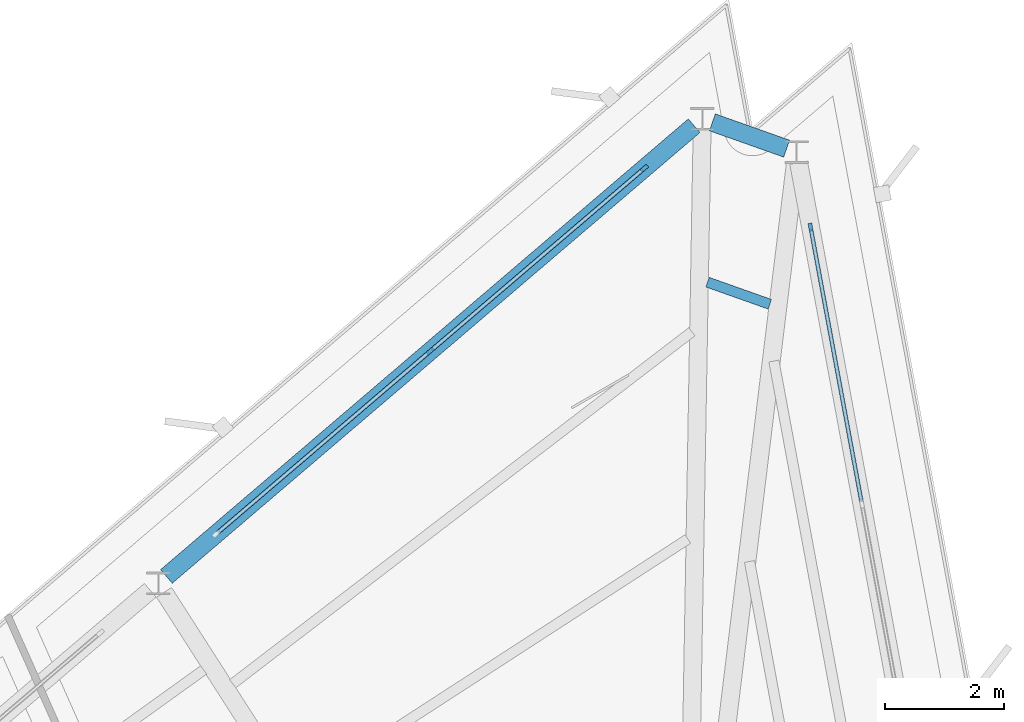
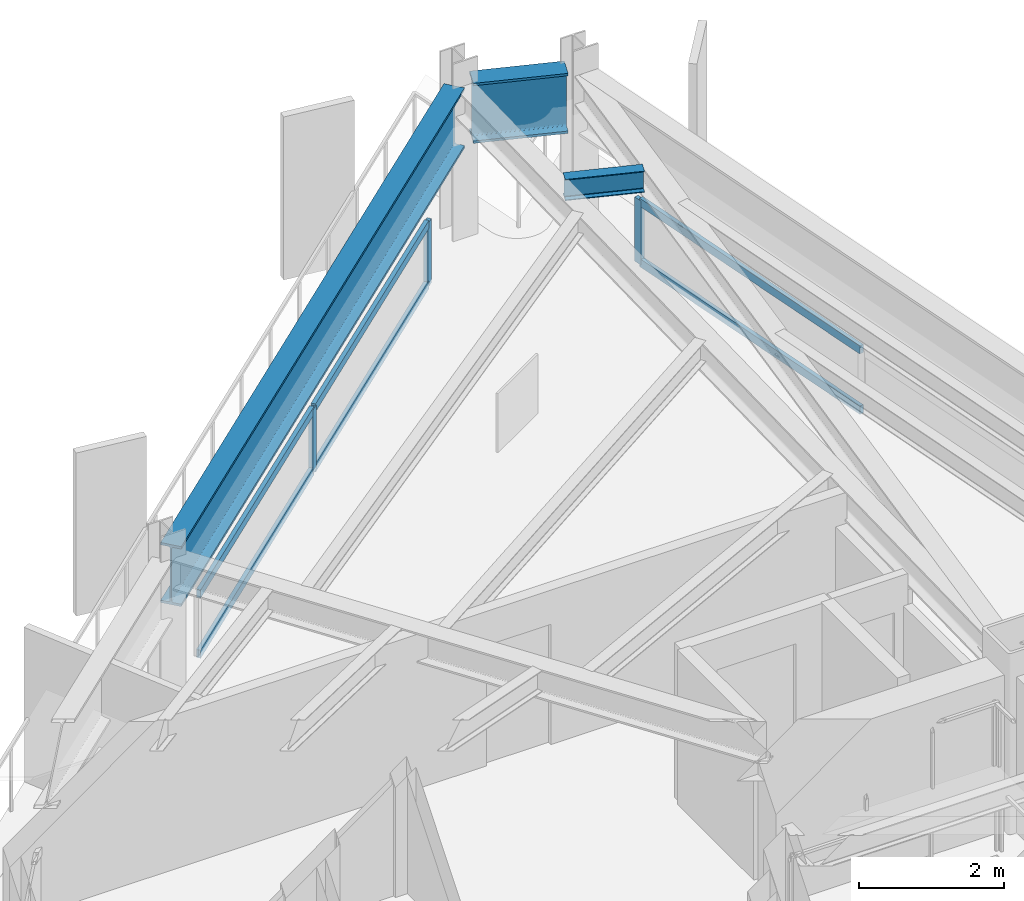
# One storey, part 7 of 14: 9 members, 3 beams, 2 elements without a shape of their own.
"""IFC4 building model written with IfcOpenShell, lengths in metres."""

from ifc_helpers import new_model, si_unit, direction, frame, origin, origin_2d, place, context, subcontext, project, spatial, rectangle, i_section, extrude, material, layer, layer_set, material_profile, profile_set, type_object, element, aggregate, save


model = new_model("IFC4")

# Units and contexts
model_context = context("Model", 3, precision=1e-05, world=origin(), true_north=direction((0.0, 1.0)))
body_context = subcontext(model_context, "Body", "Model", "MODEL_VIEW")
ifc_project = project(units=[si_unit("LENGTHUNIT", "METRE"), si_unit("AREAUNIT", "SQUARE_METRE"), si_unit("VOLUMEUNIT", "CUBIC_METRE"), si_unit("PLANEANGLEUNIT", "RADIAN"), si_unit("MASSUNIT", "GRAM", prefix="KILO")], contexts=[model_context])

# Site, building, storey
site_placement = place(None, origin())
site = spatial("IfcSite", under=ifc_project, at=site_placement, CompositionType="ELEMENT")
building_placement = place(site_placement, origin())
building = spatial("IfcBuilding", under=site, at=building_placement, Name="Rocaltana Carrier Exchange", CompositionType="ELEMENT")
storey_placement = place(building_placement, frame((0.0, 0.0, 190.56005859375)))
storey = spatial("IfcBuildingStorey", under=building, at=storey_placement, Name="L60", CompositionType="ELEMENT", Elevation=190.56005859375)

# Curtain wall, member
ifc_material_1 = material(Name="Aluminium 6063-T6", Category="aluminium")
ifc_layer = layer(ifc_material_1, 0.135009765625)
ifc_layer_set = layer_set([ifc_layer], Name="Aluminium 6063-T6")
curtain_wall_type = type_object("IfcCurtainWallType", Name="Upper-Mid Acoustic Curtain Wall CW-04", PredefinedType="NOTDEFINED", material=ifc_layer_set)
curtain_wall_1_placement = place(storey_placement, origin())
curtain_wall_1 = element("IfcCurtainWall", 1, at=curtain_wall_1_placement, inside=storey, type_object=curtain_wall_type, Name="L60 CW-04 Run CW-L60-F1S3", PredefinedType="NOTDEFINED")
ifc_material_2 = material(Name="Aluminium 6063-T6", Category="aluminium")
ifc_material_profile_1 = material_profile(ifc_material_2, rectangle(XDim=0.06494140625, YDim=0.135009765625, at=origin_2d()), Name="AL-65X135")
ifc_profile_set_1 = profile_set([ifc_material_profile_1], Name="Aluminium 6063-T6")
member_type_1 = type_object("IfcMemberType", Name="CW-04 Mullion AL-65X135", PredefinedType="MULLION", material=ifc_profile_set_1)
member_1_placement = place(storey_placement, frame((8.1474609375, 18.56298828125, 0.0), z_axis=(0.0, 0.0, 1.0), x_axis=(-0.983254796134, -0.182236126712, 0.0)))
member_1 = element("IfcMember", 2, at=member_1_placement, type_object=member_type_1, Name="CW-04 mullion 3", PredefinedType="MULLION", context=body_context, shape_type="SweptSolid", body=[
    extrude(rectangle(XDim=0.06494140625, YDim=0.135009765625, at=origin_2d()), origin(), (0.0, 0.0, 1.0), 1.077880859375),
])

# Curtain wall, members
curtain_wall_2_placement = place(storey_placement, origin())
curtain_wall_2 = element("IfcCurtainWall", 3, at=curtain_wall_2_placement, inside=storey, type_object=curtain_wall_type, Name="L60 CW-04 Run CW-L60-F2S1", PredefinedType="NOTDEFINED")
member_2_placement = place(storey_placement, frame((5.350341796875, 19.5537109375, 0.0), z_axis=(0.0, 0.0, 1.0), x_axis=(0.649447944918, -0.760406053922, 0.0)))
member_2 = element("IfcMember", 4, at=member_2_placement, type_object=member_type_1, Name="CW-04 mullion 1", PredefinedType="MULLION", context=body_context, shape_type="SweptSolid", body=[
    extrude(rectangle(XDim=0.06494140625, YDim=0.135009765625, at=origin_2d()), origin(), (0.0, 0.0, 1.0), 1.077880859375),
])
member_3_placement = place(storey_placement, frame((1.75048828125, 16.47900390625, 0.0), z_axis=(0.0, 0.0, 1.0), x_axis=(0.649447944918, -0.760406053922, 0.0)))
member_3 = element("IfcMember", 5, at=member_3_placement, type_object=member_type_1, Name="CW-04 mullion 2", PredefinedType="MULLION", context=body_context, shape_type="SweptSolid", body=[
    extrude(rectangle(XDim=0.06494140625, YDim=0.135009765625, at=origin_2d()), origin(), (0.0, 0.0, 1.0), 1.077880859375),
])

# Member
ifc_material_3 = material(Name="Aluminium 6063-T6", Category="aluminium")
ifc_material_profile_2 = material_profile(ifc_material_3, rectangle(XDim=0.06494140625, YDim=0.135009765625, at=origin_2d()), Name="AL-65X135")
ifc_profile_set_2 = profile_set([ifc_material_profile_2], Name="Aluminium 6063-T6")
member_type_2 = type_object("IfcMemberType", Name="CW-04 Transom AL-65X135", PredefinedType="USERDEFINED", material=ifc_profile_set_2)
member_4_placement = place(storey_placement, frame((9.00439453125, 13.940185546875, 0.032470703125), z_axis=(-0.182229691605, 0.983255988793, 0.0), x_axis=(-0.983255988793, -0.182229691605, 0.0)))
member_4 = element("IfcMember", 6, at=member_4_placement, type_object=member_type_2, Name="CW-04 transom 2.1", ObjectType="TRANSOM", PredefinedType="USERDEFINED", context=body_context, shape_type="SweptSolid", body=[
    extrude(rectangle(XDim=0.06494140625, YDim=0.135009765625, at=origin_2d()), origin(), (0.0, 0.0, 1.0), 4.6689453125),
])

member_5_placement = place(storey_placement, frame((9.00439453125, 13.940185546875, 1.04541015625), z_axis=(-0.182229691605, 0.983255988793, 0.0), x_axis=(-0.983255988793, -0.182229691605, 0.0)))
member_5 = element("IfcMember", 7, at=member_5_placement, type_object=member_type_2, Name="CW-04 transom 2.2", ObjectType="TRANSOM", PredefinedType="USERDEFINED", context=body_context, shape_type="SweptSolid", body=[
    extrude(rectangle(XDim=0.06494140625, YDim=0.135009765625, at=origin_2d()), origin(), (0.0, 0.0, 1.0), 4.6689453125),
])

aggregate(curtain_wall_1, [member_1, member_4, member_5])

member_6_placement = place(storey_placement, frame((5.32568359375, 19.532470703125, 0.032470703125), z_axis=(-0.760429086615, -0.649420976123, 0.0), x_axis=(0.649420976123, -0.760429086615, 0.0)))
member_6 = element("IfcMember", 8, at=member_6_placement, type_object=member_type_2, Name="CW-04 transom 1.1", ObjectType="TRANSOM", PredefinedType="USERDEFINED", context=body_context, shape_type="SweptSolid", body=[
    extrude(rectangle(XDim=0.06494140625, YDim=0.135009765625, at=origin_2d()), origin(), (0.0, 0.0, 1.0), 4.669189453125),
])

member_7_placement = place(storey_placement, frame((5.32568359375, 19.532470703125, 1.04541015625), z_axis=(-0.760429086615, -0.649420976123, 0.0), x_axis=(0.649420976123, -0.760429086615, 0.0)))
member_7 = element("IfcMember", 9, at=member_7_placement, type_object=member_type_2, Name="CW-04 transom 1.2", ObjectType="TRANSOM", PredefinedType="USERDEFINED", context=body_context, shape_type="SweptSolid", body=[
    extrude(rectangle(XDim=0.06494140625, YDim=0.135009765625, at=origin_2d()), origin(), (0.0, 0.0, 1.0), 4.669189453125),
])

member_8_placement = place(storey_placement, frame((1.7255859375, 16.4580078125, 0.032470703125), z_axis=(-0.760381209804, -0.649477032525, 0.0), x_axis=(0.649477032525, -0.760381209804, 0.0)))
member_8 = element("IfcMember", 10, at=member_8_placement, type_object=member_type_2, Name="CW-04 transom 2.1", ObjectType="TRANSOM", PredefinedType="USERDEFINED", context=body_context, shape_type="SweptSolid", body=[
    extrude(rectangle(XDim=0.06494140625, YDim=0.135009765625, at=origin_2d()), origin(), (0.0, 0.0, 1.0), 4.669189453125),
])

member_9_placement = place(storey_placement, frame((1.7255859375, 16.4580078125, 1.04541015625), z_axis=(-0.760381209804, -0.649477032525, 0.0), x_axis=(0.649477032525, -0.760381209804, 0.0)))
member_9 = element("IfcMember", 11, at=member_9_placement, type_object=member_type_2, Name="CW-04 transom 2.2", ObjectType="TRANSOM", PredefinedType="USERDEFINED", context=body_context, shape_type="SweptSolid", body=[
    extrude(rectangle(XDim=0.06494140625, YDim=0.135009765625, at=origin_2d()), origin(), (0.0, 0.0, 1.0), 4.669189453125),
])

aggregate(curtain_wall_2, [member_2, member_3, member_6, member_7, member_8, member_9])

# Beams
ifc_material_4 = material(Name="Steel S355", Category="steel")
ifc_material_profile_3 = material_profile(ifc_material_4, i_section(OverallWidth=0.172119140625, OverallDepth=0.35791015625, WebThickness=0.0078125, FlangeThickness=0.01318359375, FilletRadius=0.011962890625, at=origin_2d()), Name="W14X38")
ifc_profile_set_3 = profile_set([ifc_material_profile_3], Name="Steel S355")
beam_type_1 = type_object("IfcBeamType", Name="Floor Joist W14X38", PredefinedType="JOIST", material=ifc_profile_set_3)
beam_1_placement = place(storey_placement, frame((7.461181640625, 17.26708984375, 2.43896484375), z_axis=(-0.942673337603, 0.333716913825, 0.0), x_axis=(-0.333716913825, -0.942673337603, 0.0)))
element("IfcBeam", 12, at=beam_1_placement, inside=storey, type_object=beam_type_1, Name="FJ-L60-04-3", PredefinedType="JOIST", context=body_context, shape_type="SweptSolid", body=[
    extrude(i_section(OverallWidth=0.172119140625, OverallDepth=0.35791015625, WebThickness=0.0078125, FlangeThickness=0.01318359375, FilletRadius=0.011962890625, at=origin_2d()), origin(), (0.0, 0.0, 1.0), 1.110595703125),
])
ifc_material_5 = material(Name="Steel S460", Category="steel")
ifc_material_profile_4 = material_profile(ifc_material_5, i_section(OverallWidth=0.302001953125, OverallDepth=1.008056640625, WebThickness=0.02099609375, FlangeThickness=0.0400390625, FilletRadius=0.030029296875, at=origin_2d()), Name="HEM1000")
ifc_profile_set_4 = profile_set([ifc_material_profile_4], Name="Steel S460")
beam_type_2 = type_object("IfcBeamType", Name="Transfer Ring Girder HEM1000", PredefinedType="USERDEFINED", material=ifc_profile_set_4)
beam_2_placement = place(storey_placement, frame((7.74462890625, 19.884033203125, 2.114013671875), z_axis=(-0.942646536387, 0.33379261142, 0.0), x_axis=(-0.33379261142, -0.942646536387, 0.0)))
element("IfcBeam", 13, at=beam_2_placement, inside=storey, type_object=beam_type_2, Name="SP-L60-04", ObjectType="TRANSFER GIRDER", PredefinedType="USERDEFINED", context=body_context, shape_type="SweptSolid", body=[
    extrude(i_section(OverallWidth=0.302001953125, OverallDepth=1.008056640625, WebThickness=0.02099609375, FlangeThickness=0.0400390625, FilletRadius=0.030029296875, at=origin_2d()), origin(), (0.0, 0.0, 1.0), 1.326171875),
])
beam_3_placement = place(storey_placement, frame((6.18896484375, 20.27001953125, 2.114013671875), z_axis=(-0.760408318274, -0.649445293693, 0.0), x_axis=(0.649445293693, -0.760408318274, 0.0)))
element("IfcBeam", 14, at=beam_3_placement, inside=storey, type_object=beam_type_2, Name="SP-L60-05", ObjectType="TRANSFER GIRDER", PredefinedType="USERDEFINED", context=body_context, shape_type="SweptSolid", body=[
    extrude(i_section(OverallWidth=0.302001953125, OverallDepth=1.008056640625, WebThickness=0.02099609375, FlangeThickness=0.0400390625, FilletRadius=0.030029296875, at=origin_2d()), origin(), (0.0, 0.0, 1.0), 11.67431640625),
])

save(model, "model.ifc")
